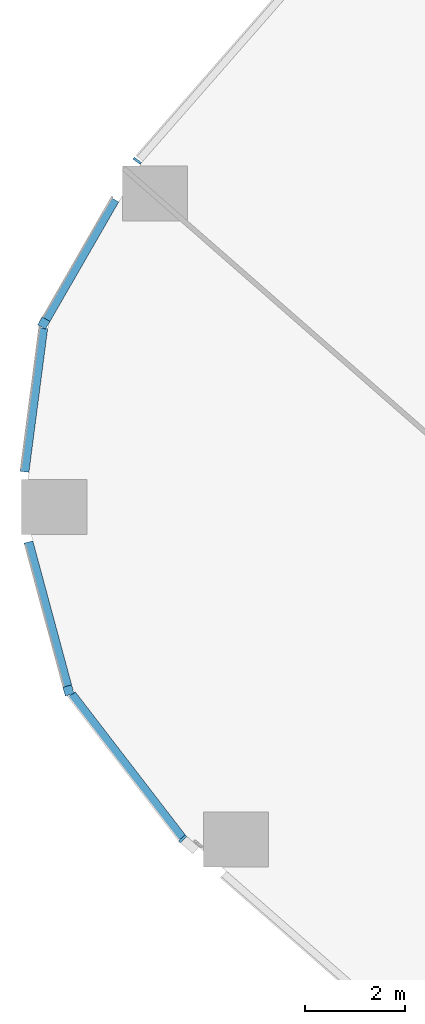
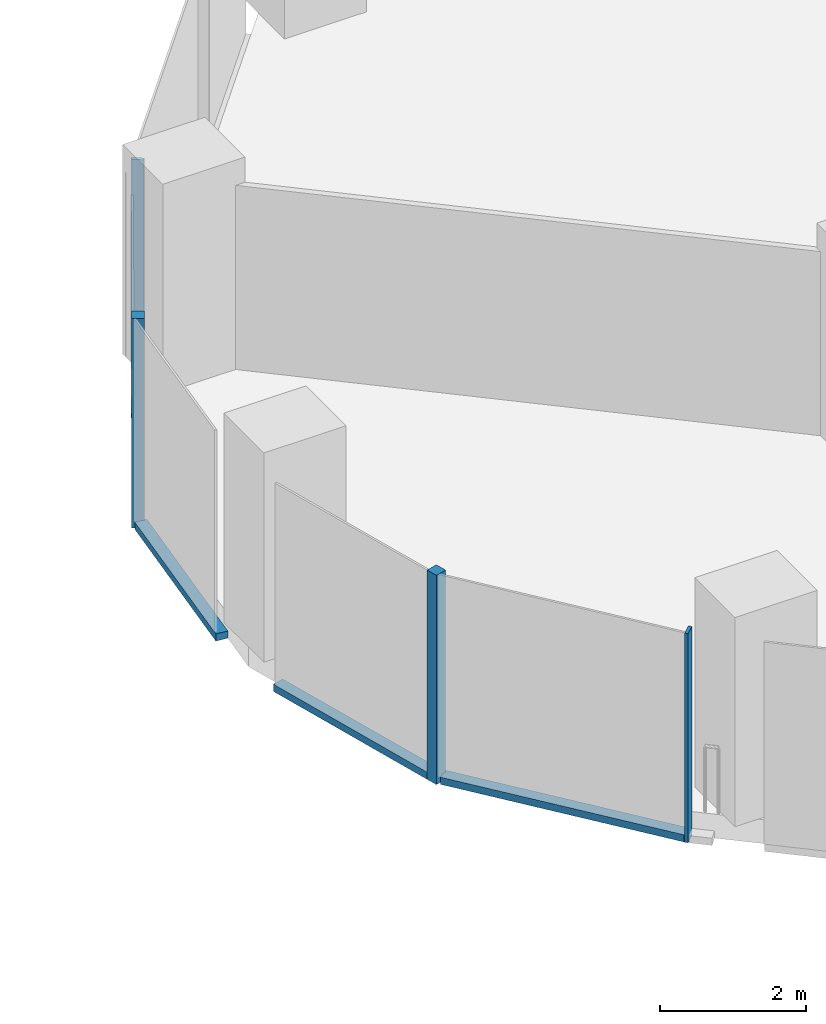
# One storey, part 3 of 38: 8 members, 5 elements without a shape of their own.
"""IFC4 building model written with IfcOpenShell, lengths in metres."""

from ifc_helpers import new_model, si_unit, direction, frame, origin, origin_2d, place, context, subcontext, project, spatial, rectangle, extrude, material, material_profile, profile_set, type_object, element, aggregate, save


model = new_model("IFC4")

# Units and contexts
model_context = context("Model", 3, precision=1e-05, world=origin(), true_north=direction((0.0, 1.0)))
body_context = subcontext(model_context, "Body", "Model", "MODEL_VIEW")
ifc_project = project(units=[si_unit("LENGTHUNIT", "METRE"), si_unit("AREAUNIT", "SQUARE_METRE"), si_unit("VOLUMEUNIT", "CUBIC_METRE"), si_unit("PLANEANGLEUNIT", "RADIAN"), si_unit("MASSUNIT", "GRAM", prefix="KILO")], contexts=[model_context])

# Site, building, storey
site_placement = place(None, origin())
site = spatial("IfcSite", under=ifc_project, at=site_placement, CompositionType="ELEMENT")
building_placement = place(site_placement, origin())
building = spatial("IfcBuilding", under=site, at=building_placement, Name="Orlundy Tower", CompositionType="ELEMENT")
storey_placement = place(building_placement, frame((0.0, 0.0, 62.300048828125)))
storey = spatial("IfcBuildingStorey", under=building, at=storey_placement, Name="L14", CompositionType="ELEMENT", Elevation=62.300048828125)

# Curtain wall, member
ifc_material_1 = material(Name="Aluminium bronze anodised", Category="aluminium")
curtain_wall_type = type_object("IfcCurtainWallType", Name="CW1 wall", PredefinedType="NOTDEFINED", material=ifc_material_1)
curtain_wall_1_placement = place(storey_placement, origin())
curtain_wall_1 = element("IfcCurtainWall", 1, at=curtain_wall_1_placement, inside=storey, type_object=curtain_wall_type, Name="CW1 run 09", PredefinedType="NOTDEFINED")
ifc_material_2 = material(Name="Aluminium bronze anodised", Category="aluminium")
ifc_material_profile_1 = material_profile(ifc_material_2, rectangle(XDim=0.179931640625, YDim=0.179931640625, at=origin_2d()), Name="CW1 corner post 180x180")
ifc_profile_set_1 = profile_set([ifc_material_profile_1], Name="Aluminium bronze anodised")
member_type_1 = type_object("IfcMemberType", Name="CW1 corner post 180x180", PredefinedType="MULLION", material=ifc_profile_set_1)
member_1_placement = place(storey_placement, frame((-49.413330078125, -34.982666015625, -0.400146484375), z_axis=(0.0, 0.0, 1.0), x_axis=(-0.965519317919, -0.260331417091, 0.0)))
member_1 = element("IfcMember", 2, at=member_1_placement, type_object=member_type_1, Name="CW1 mullion 23", PredefinedType="MULLION", context=body_context, shape_type="SweptSolid", body=[
    extrude(rectangle(XDim=0.179931640625, YDim=0.179931640625, at=origin_2d()), origin(), (0.0, 0.0, 1.0), 3.5),
])

curtain_wall_2_placement = place(storey_placement, origin())
curtain_wall_2 = element("IfcCurtainWall", 3, at=curtain_wall_2_placement, inside=storey, type_object=curtain_wall_type, Name="CW1 run 011", PredefinedType="NOTDEFINED")
member_2_placement = place(storey_placement, frame((-49.904052734375, -27.65869140625, -0.400146484375), z_axis=(0.0, 0.0, 1.0), x_axis=(-0.866845089361, 0.498577567738, 0.0)))
member_2 = element("IfcMember", 4, at=member_2_placement, type_object=member_type_1, Name="CW1 mullion 25", PredefinedType="MULLION", context=body_context, shape_type="SweptSolid", body=[
    extrude(rectangle(XDim=0.179931640625, YDim=0.179931640625, at=origin_2d()), origin(), (0.0, 0.0, 1.0), 3.5),
])

curtain_wall_3_placement = place(storey_placement, origin())
curtain_wall_3 = element("IfcCurtainWall", 5, at=curtain_wall_3_placement, inside=storey, type_object=curtain_wall_type, Name="CW1 run 08", PredefinedType="NOTDEFINED")
ifc_material_3 = material(Name="Aluminium bronze anodised", Category="aluminium")
ifc_material_profile_2 = material_profile(ifc_material_3, rectangle(XDim=0.179931640625, YDim=0.050048828125, at=origin_2d()), Name="CW1 mullion 50x180")
ifc_profile_set_2 = profile_set([ifc_material_profile_2], Name="Aluminium bronze anodised")
member_type_2 = type_object("IfcMemberType", Name="CW1 mullion 50x180", PredefinedType="MULLION", material=ifc_profile_set_2)
member_3_placement = place(storey_placement, frame((-47.135986328125, -37.94189453125, -0.400146484375), z_axis=(0.0, 0.0, 1.0), x_axis=(-0.728888590013, -0.684632327128, 0.0)))
member_3 = element("IfcMember", 6, at=member_3_placement, type_object=member_type_2, Name="CW1 mullion 22", PredefinedType="MULLION", context=body_context, shape_type="SweptSolid", body=[
    extrude(rectangle(XDim=0.179931640625, YDim=0.050048828125, at=origin_2d()), origin(), (0.0, 0.0, 1.0), 3.5),
])

curtain_wall_4_placement = place(storey_placement, origin())
curtain_wall_4 = element("IfcCurtainWall", 7, at=curtain_wall_4_placement, inside=storey, type_object=curtain_wall_type, Name="CW1 run 012", PredefinedType="NOTDEFINED")
member_4_placement = place(storey_placement, frame((-48.04248046875, -24.42236328125, -0.400146484375), z_axis=(0.0, 0.0, 1.0), x_axis=(-0.813739112089, 0.581230296402, 0.0)))
member_4 = element("IfcMember", 8, at=member_4_placement, type_object=member_type_2, Name="CW1 mullion 26", PredefinedType="MULLION", context=body_context, shape_type="SweptSolid", body=[
    extrude(rectangle(XDim=0.179931640625, YDim=0.050048828125, at=origin_2d()), origin(), (0.0, 0.0, 1.0), 3.5),
])
aggregate(curtain_wall_4, [member_4])

# Member
ifc_material_4 = material(Name="Aluminium bronze anodised", Category="aluminium")
ifc_material_profile_3 = material_profile(ifc_material_4, rectangle(XDim=0.179931640625, YDim=0.1201171875, at=origin_2d()), Name="CW1 transom 180x120")
ifc_profile_set_3 = profile_set([ifc_material_profile_3], Name="Aluminium bronze anodised")
member_type_3 = type_object("IfcMemberType", Name="CW1 transom 180x120", PredefinedType="USERDEFINED", material=ifc_profile_set_3)
member_5_placement = place(storey_placement, frame((-47.151123046875, -37.922119140625, -0.340087890625), z_axis=(-0.609861021509, 0.792508381309, 0.0), x_axis=(-0.792508381309, -0.609861021509, 0.0)))
member_5 = element("IfcMember", 9, at=member_5_placement, type_object=member_type_3, Name="CW1 transom", ObjectType="TRANSOM", PredefinedType="USERDEFINED", context=body_context, shape_type="SweptSolid", body=[
    extrude(rectangle(XDim=0.179931640625, YDim=0.1201171875, at=origin_2d()), origin(), (0.0, 0.0, 1.0), 3.61181640625),
])

aggregate(curtain_wall_3, [member_3, member_5])

member_6_placement = place(storey_placement, frame((-49.436767578125, -34.895751953125, -0.340087890625), z_axis=(-0.260276552613, 0.965534109268, 0.0), x_axis=(-0.965534109268, -0.260276552613, 0.0)))
member_6 = element("IfcMember", 10, at=member_6_placement, type_object=member_type_3, Name="CW1 transom", ObjectType="TRANSOM", PredefinedType="USERDEFINED", context=body_context, shape_type="SweptSolid", body=[
    extrude(rectangle(XDim=0.179931640625, YDim=0.1201171875, at=origin_2d()), origin(), (0.0, 0.0, 1.0), 2.975341796875),
])

aggregate(curtain_wall_1, [member_1, member_6])

# Curtain wall, member
curtain_wall_5_placement = place(storey_placement, origin())
curtain_wall_5 = element("IfcCurtainWall", 11, at=curtain_wall_5_placement, inside=storey, type_object=curtain_wall_type, Name="CW1 run 010", PredefinedType="NOTDEFINED")
member_7_placement = place(storey_placement, frame((-50.290283203125, -30.623046875, -0.340087890625), z_axis=(0.129238137404, 0.99161358595, 0.0), x_axis=(-0.99161358595, 0.129238137404, 0.0)))
member_7 = element("IfcMember", 12, at=member_7_placement, type_object=member_type_3, Name="CW1 transom", ObjectType="TRANSOM", PredefinedType="USERDEFINED", context=body_context, shape_type="SweptSolid", body=[
    extrude(rectangle(XDim=0.179931640625, YDim=0.1201171875, at=origin_2d()), origin(), (0.0, 0.0, 1.0), 2.89208984375),
])
aggregate(curtain_wall_5, [member_7])

# Member
member_8_placement = place(storey_placement, frame((-49.859130859375, -27.58056640625, -0.340087890625), z_axis=(0.498586294295, 0.866840070106, 0.0), x_axis=(-0.866840070106, 0.498586294295, 0.0)))
member_8 = element("IfcMember", 13, at=member_8_placement, type_object=member_type_3, Name="CW1 transom", ObjectType="TRANSOM", PredefinedType="USERDEFINED", context=body_context, shape_type="SweptSolid", body=[
    extrude(rectangle(XDim=0.179931640625, YDim=0.1201171875, at=origin_2d()), origin(), (0.0, 0.0, 1.0), 2.748046875),
])

aggregate(curtain_wall_2, [member_2, member_8])

save(model, "model.ifc")
